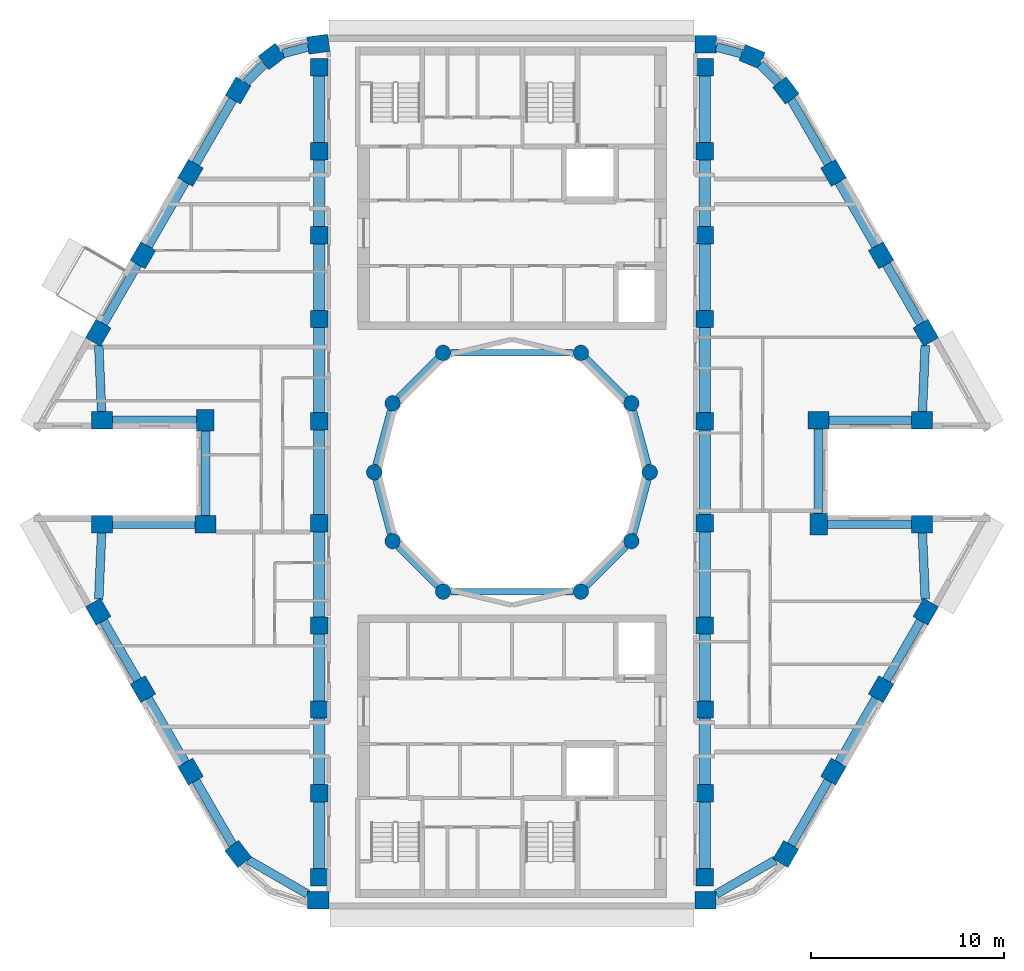
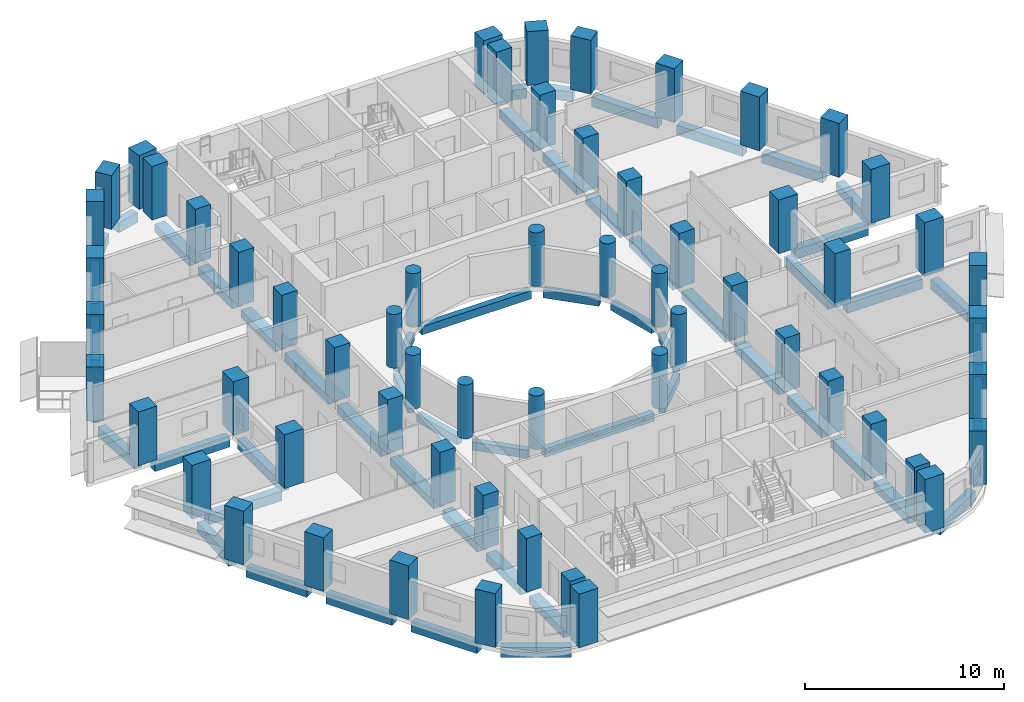
# One storey, part 1 of 13: 60 columns, 56 beams.
"""IFC4 building model written with IfcOpenShell, lengths in metres."""

from ifc_helpers import new_model, si_unit, direction, frame, origin, origin_2d, place, context, subcontext, project, spatial, rectangle, circle, extrude, material, material_profile, profile_set, type_object, element, save


model = new_model("IFC4")

# Units and contexts
model_context = context("Model", 3, precision=1e-05, world=origin(), true_north=direction((0.0, 1.0)))
body_context = subcontext(model_context, "Body", "Model", "MODEL_VIEW")
ifc_project = project(units=[si_unit("LENGTHUNIT", "METRE"), si_unit("AREAUNIT", "SQUARE_METRE"), si_unit("VOLUMEUNIT", "CUBIC_METRE"), si_unit("PLANEANGLEUNIT", "RADIAN"), si_unit("MASSUNIT", "GRAM", prefix="KILO")], contexts=[model_context])

# Site, building, storey
site_placement = place(None, origin())
site = spatial("IfcSite", under=ifc_project, at=site_placement, CompositionType="ELEMENT")
building_placement = place(site_placement, origin())
building = spatial("IfcBuilding", under=site, at=building_placement, Name="Nakaniwa Court", CompositionType="ELEMENT")
storey_placement = place(building_placement, frame((0.0, 0.0, 239.39990234375)))
storey = spatial("IfcBuildingStorey", under=building, at=storey_placement, Name="L62", CompositionType="ELEMENT", Elevation=239.39990234375)

# Columns
ifc_material = material(Name="Concrete C80/100", Category="concrete")
ifc_material_profile_1 = material_profile(ifc_material, rectangle(XDim=1.10009765625, YDim=0.89990234375, at=origin_2d()), Name="Concrete C80/100 RC 1100x900 perimeter column")
ifc_profile_set_1 = profile_set([ifc_material_profile_1], Name="Concrete C80/100")
column_type_1 = type_object("IfcColumnType", Name="Concrete C80/100 RC 1100x900 perimeter column", PredefinedType="COLUMN", material=ifc_profile_set_1)
for number, where, z_axis, x_axis, name in (
    (1, (69.95458984375, 102.199951171875, 0.0), (0.0, 0.0, 1.0), (-0.991442583111, -0.130543496177, 0.0), "COLUMN CO-01"),
    (2, (67.552001953125, 101.560302734375, 0.0), (0.0, 0.0, 1.0), (-0.793363965062, -0.608747582288, 0.0), "COLUMN CO-02"),
    (3, (65.796875, 99.799560546875, 0.0), (0.0, 0.0, 1.0), (-0.5, -0.866025403784, 0.0), "COLUMN CO-03"),
    (4, (63.328857421875, 95.524658203125, 0.0), (0.0, 0.0, 1.0), (-0.5, -0.866025403784, 0.0), "COLUMN CO-04"),
    (5, (60.860595703125, 91.249755859375, 0.0), (0.0, 0.0, 1.0), (-0.5, -0.866025403784, 0.0), "COLUMN CO-05"),
    (6, (58.541015625, 87.232177734375, 0.0), (0.0, 0.0, 1.0), (-0.5, -0.866025403784, 0.0), "COLUMN CO-06"),
    (7, (58.736083984375, 82.699951171875, 0.0), (0.0, 0.0, 1.0), (1.0, 0.0, 0.0), "COLUMN CO-08"),
    (8, (64.1005859375, 82.699951171875, 0.0), (0.0, 0.0, 1.0), (0.0, -1.0, 0.0), "COLUMN CO-09"),
    (9, (64.1005859375, 77.300048828125, 0.0), (0.0, 0.0, 1.0), (-1.0, 0.0, 0.0), "COLUMN CO-10"),
    (10, (58.736083984375, 77.300048828125, 0.0), (0.0, 0.0, 1.0), (-1.0, 0.0, 0.0), "COLUMN CO-11"),
    (11, (58.541015625, 72.767822265625, 0.0), (0.0, 0.0, 1.0), (0.5, -0.866025403784, 0.0), "COLUMN CO-13"),
    (12, (60.860595703125, 68.750244140625, 0.0), (0.0, 0.0, 1.0), (0.5, -0.866025403784, 0.0), "COLUMN CO-14"),
    (13, (63.328857421875, 64.475341796875, 0.0), (0.0, 0.0, 1.0), (0.5, -0.866025403784, 0.0), "COLUMN CO-15"),
    (14, (65.796875, 60.200439453125, 0.0), (0.0, 0.0, 1.0), (0.608761429009, -0.793353340291, 0.0), "COLUMN CO-16"),
    (15, (69.95458984375, 57.800048828125, 0.0), (0.0, 0.0, 1.0), (1.0, 0.0, 0.0), "COLUMN CO-17"),
    (16, (90.03955078125, 57.800048828125, 0.0), (0.0, 0.0, 1.0), (1.0, 0.0, 0.0), "COLUMN CO-21"),
    (17, (94.203125, 60.200439453125, 0.0), (0.0, 0.0, 1.0), (0.5, 0.866025403784, 0.0), "COLUMN CO-22"),
    (18, (96.671142578125, 64.475341796875, 0.0), (0.0, 0.0, 1.0), (0.5, 0.866025403784, 0.0), "COLUMN CO-23"),
    (19, (99.139404296875, 68.750244140625, 0.0), (0.0, 0.0, 1.0), (0.5, 0.866025403784, 0.0), "COLUMN CO-24"),
    (20, (101.458984375, 72.767822265625, 0.0), (0.0, 0.0, 1.0), (0.5, 0.866025403784, 0.0), "COLUMN CO-25"),
    (21, (101.263916015625, 77.300048828125, 0.0), (0.0, 0.0, 1.0), (-1.0, 0.0, 0.0), "COLUMN CO-27"),
    (22, (95.8994140625, 77.300048828125, 0.0), (0.0, 0.0, 1.0), (0.0, 1.0, 0.0), "COLUMN CO-28"),
    (23, (95.8994140625, 82.699951171875, 0.0), (0.0, 0.0, 1.0), (1.0, 0.0, 0.0), "COLUMN CO-29"),
    (24, (101.263916015625, 82.699951171875, 0.0), (0.0, 0.0, 1.0), (1.0, 0.0, 0.0), "COLUMN CO-30"),
    (25, (101.458984375, 87.232177734375, 0.0), (0.0, 0.0, 1.0), (-0.5, 0.866025403784, 0.0), "COLUMN CO-32"),
    (26, (99.139404296875, 91.249755859375, 0.0), (0.0, 0.0, 1.0), (-0.5, 0.866025403784, 0.0), "COLUMN CO-33"),
    (27, (96.671142578125, 95.524658203125, 0.0), (0.0, 0.0, 1.0), (-0.5, 0.866025403784, 0.0), "COLUMN CO-34"),
    (28, (94.203125, 99.799560546875, 0.0), (0.0, 0.0, 1.0), (-0.608761429009, 0.793353340291, 0.0), "COLUMN CO-35"),
    (29, (92.447998046875, 101.560302734375, 0.0), (0.0, 0.0, 1.0), (-0.923879532511, 0.382683432365, 0.0), "COLUMN CO-36"),
    (30, (90.04541015625, 102.199951171875, 0.0), (0.0, 0.0, 1.0), (-1.0, 0.0, 0.0), "COLUMN CO-37"),
):
    element("IfcColumn", number, at=place(storey_placement, frame(where, z_axis=z_axis, x_axis=x_axis)), inside=storey, type_object=column_type_1, Name=name, PredefinedType="COLUMN", context=body_context, shape_type="SweptSolid", body=[
        extrude(rectangle(XDim=1.10009765625, YDim=0.89990234375, at=origin_2d()), origin(), (0.0, 0.0, 1.0), 3.300048828125),
    ])
ifc_material_profile_2 = material_profile(ifc_material, rectangle(XDim=0.89990234375, YDim=0.89990234375, at=origin_2d()), Name="Concrete C80/100 RC 900x900 spine column")
ifc_profile_set_2 = profile_set([ifc_material_profile_2], Name="Concrete C80/100")
column_type_2 = type_object("IfcColumnType", Name="Concrete C80/100 RC 900x900 spine column", PredefinedType="COLUMN", material=ifc_profile_set_2)
for number, where, z_axis, x_axis, name in (
    (31, (90.0, 59.0, 0.0), (0.0, 0.0, 1.0), (0.0, 1.0, 0.0), "COLUMN CS-01"),
    (32, (90.0, 63.35009765625, 0.0), (0.0, 0.0, 1.0), (0.0, 1.0, 0.0), "COLUMN CS-02"),
    (33, (90.0, 67.699951171875, 0.0), (0.0, 0.0, 1.0), (0.0, 1.0, 0.0), "COLUMN CS-03"),
    (34, (90.0, 72.050048828125, 0.0), (0.0, 0.0, 1.0), (0.0, 1.0, 0.0), "COLUMN CS-04"),
    (35, (90.0, 77.35009765625, 0.0), (0.0, 0.0, 1.0), (0.0, 1.0, 0.0), "COLUMN CS-05"),
    (36, (90.0, 82.64990234375, 0.0), (0.0, 0.0, 1.0), (0.0, 1.0, 0.0), "COLUMN CS-06"),
    (37, (90.0, 87.949951171875, 0.0), (0.0, 0.0, 1.0), (0.0, 1.0, 0.0), "COLUMN CS-07"),
    (38, (90.0, 92.300048828125, 0.0), (0.0, 0.0, 1.0), (0.0, 1.0, 0.0), "COLUMN CS-08"),
    (39, (90.0, 96.64990234375, 0.0), (0.0, 0.0, 1.0), (0.0, 1.0, 0.0), "COLUMN CS-09"),
    (40, (90.0, 101.0, 0.0), (0.0, 0.0, 1.0), (0.0, 1.0, 0.0), "COLUMN CS-10"),
    (41, (70.0, 101.0, 0.0), (0.0, 0.0, 1.0), (0.0, -1.0, 0.0), "COLUMN CS-11"),
    (42, (70.0, 96.64990234375, 0.0), (0.0, 0.0, 1.0), (0.0, -1.0, 0.0), "COLUMN CS-12"),
    (43, (70.0, 92.300048828125, 0.0), (0.0, 0.0, 1.0), (0.0, -1.0, 0.0), "COLUMN CS-13"),
    (44, (70.0, 87.949951171875, 0.0), (0.0, 0.0, 1.0), (0.0, -1.0, 0.0), "COLUMN CS-14"),
    (45, (70.0, 82.64990234375, 0.0), (0.0, 0.0, 1.0), (0.0, -1.0, 0.0), "COLUMN CS-15"),
    (46, (70.0, 77.35009765625, 0.0), (0.0, 0.0, 1.0), (0.0, -1.0, 0.0), "COLUMN CS-16"),
    (47, (70.0, 72.050048828125, 0.0), (0.0, 0.0, 1.0), (0.0, -1.0, 0.0), "COLUMN CS-17"),
    (48, (70.0, 67.699951171875, 0.0), (0.0, 0.0, 1.0), (0.0, -1.0, 0.0), "COLUMN CS-18"),
    (49, (70.0, 63.35009765625, 0.0), (0.0, 0.0, 1.0), (0.0, -1.0, 0.0), "COLUMN CS-19"),
    (50, (70.0, 59.0, 0.0), (0.0, 0.0, 1.0), (0.0, -1.0, 0.0), "COLUMN CS-20"),
):
    element("IfcColumn", number, at=place(storey_placement, frame(where, z_axis=z_axis, x_axis=x_axis)), inside=storey, type_object=column_type_2, Name=name, PredefinedType="COLUMN", context=body_context, shape_type="SweptSolid", body=[
        extrude(rectangle(XDim=0.89990234375, YDim=0.89990234375, at=origin_2d()), origin(), (0.0, 0.0, 1.0), 3.300048828125),
    ])
ifc_material_profile_3 = material_profile(ifc_material, circle(Radius=0.39990234375, at=origin_2d()), Name="Concrete C80/100 RC D800 inner ring column")
ifc_profile_set_3 = profile_set([ifc_material_profile_3], Name="Concrete C80/100")
column_type_3 = type_object("IfcColumnType", Name="Concrete C80/100 RC D800 inner ring column", PredefinedType="COLUMN", material=ifc_profile_set_3)
for number, where, z_axis, x_axis, name in (
    (51, (87.14990234375, 80.0, 0.0), (0.0, 0.0, 1.0), (0.0, 1.0, 0.0), "COLUMN CI-01"),
    (52, (86.192138671875, 83.574951171875, 0.0), (0.0, 0.0, 1.0), (-0.5, 0.866025403784, 0.0), "COLUMN CI-02"),
    (53, (83.574951171875, 86.192138671875, 0.0), (0.0, 0.0, 1.0), (-0.866025403784, 0.5, 0.0), "COLUMN CI-03"),
    (54, (76.425048828125, 86.192138671875, 0.0), (0.0, 0.0, 1.0), (-0.866025403784, -0.5, 0.0), "COLUMN CI-05"),
    (55, (73.807861328125, 83.574951171875, 0.0), (0.0, 0.0, 1.0), (-0.5, -0.866025403784, 0.0), "COLUMN CI-06"),
    (56, (72.85009765625, 80.0, 0.0), (0.0, 0.0, 1.0), (0.0, -1.0, 0.0), "COLUMN CI-07"),
    (57, (73.807861328125, 76.425048828125, 0.0), (0.0, 0.0, 1.0), (0.5, -0.866025403784, 0.0), "COLUMN CI-08"),
    (58, (76.425048828125, 73.807861328125, 0.0), (0.0, 0.0, 1.0), (0.866025403784, -0.5, 0.0), "COLUMN CI-09"),
    (59, (83.574951171875, 73.807861328125, 0.0), (0.0, 0.0, 1.0), (0.866025403784, 0.5, 0.0), "COLUMN CI-11"),
    (60, (86.192138671875, 76.425048828125, 0.0), (0.0, 0.0, 1.0), (0.5, 0.866025403784, 0.0), "COLUMN CI-12"),
):
    element("IfcColumn", number, at=place(storey_placement, frame(where, z_axis=z_axis, x_axis=x_axis)), inside=storey, type_object=column_type_3, Name=name, PredefinedType="COLUMN", context=body_context, shape_type="SweptSolid", body=[
        extrude(circle(Radius=0.39990234375, at=origin_2d()), origin(), (0.0, 0.0, 1.0), 3.300048828125),
    ])

# Beams
ifc_material_profile_4 = material_profile(ifc_material, rectangle(XDim=0.35009765625, YDim=0.5, at=origin_2d()), Name="Concrete C80/100 RC 350x500 ring beam")
ifc_profile_set_4 = profile_set([ifc_material_profile_4], Name="Concrete C80/100")
beam_type_1 = type_object("IfcBeamType", Name="Concrete C80/100 RC 350x500 ring beam", PredefinedType="BEAM", material=ifc_profile_set_4)
beam_1_placement = place(storey_placement, frame((87.04638671875, 80.386474609375, -0.52490234375), z_axis=(-0.258778150207, 0.965936783115, 0.0), x_axis=(-0.965936783115, -0.258778150207, 0.0)))
element("IfcBeam", 61, at=beam_1_placement, inside=storey, type_object=beam_type_1, Name="RING BEAM", PredefinedType="BEAM", context=body_context, shape_type="SweptSolid", body=[
    extrude(rectangle(XDim=0.35009765625, YDim=0.5, at=origin_2d()), origin(), (0.0, 0.0, 1.0), 2.901123046875),
])
beam_2_placement = place(storey_placement, frame((85.9091796875, 83.85791015625, -0.52490234375), z_axis=(-0.707106781187, 0.707106781187, 0.0), x_axis=(-0.707106781187, -0.707106781187, 0.0)))
element("IfcBeam", 62, at=beam_2_placement, inside=storey, type_object=beam_type_1, Name="RING BEAM", PredefinedType="BEAM", context=body_context, shape_type="SweptSolid", body=[
    extrude(rectangle(XDim=0.35009765625, YDim=0.5, at=origin_2d()), origin(), (0.0, 0.0, 1.0), 2.90087890625),
])
beam_3_placement = place(storey_placement, frame((83.175048828125, 86.192138671875, -0.52490234375), z_axis=(-1.0, 0.0, 0.0), x_axis=(0.0, -1.0, 0.0)))
element("IfcBeam", 63, at=beam_3_placement, inside=storey, type_object=beam_type_1, Name="RING BEAM", PredefinedType="BEAM", context=body_context, shape_type="SweptSolid", body=[
    extrude(rectangle(XDim=0.35009765625, YDim=0.5, at=origin_2d()), origin(), (0.0, 0.0, 1.0), 6.35009765625),
])
beam_4_placement = place(storey_placement, frame((76.14208984375, 85.9091796875, -0.52490234375), z_axis=(-0.707106781187, -0.707106781187, 0.0), x_axis=(0.707106781187, -0.707106781187, 0.0)))
element("IfcBeam", 64, at=beam_4_placement, inside=storey, type_object=beam_type_1, Name="RING BEAM", PredefinedType="BEAM", context=body_context, shape_type="SweptSolid", body=[
    extrude(rectangle(XDim=0.35009765625, YDim=0.5, at=origin_2d()), origin(), (0.0, 0.0, 1.0), 2.90087890625),
])
for number, where, z_axis, x_axis, name in (
    (65, (73.704345703125, 83.188720703125, -0.52490234375), (-0.258778150207, -0.965936783115, 0.0), (0.965936783115, -0.258778150207, 0.0), "RING BEAM"),
    (66, (72.95361328125, 79.613525390625, -0.52490234375), (0.258778150207, -0.965936783115, 0.0), (0.965936783115, 0.258778150207, 0.0), "RING BEAM"),
):
    element("IfcBeam", number, at=place(storey_placement, frame(where, z_axis=z_axis, x_axis=x_axis)), inside=storey, type_object=beam_type_1, Name=name, PredefinedType="BEAM", context=body_context, shape_type="SweptSolid", body=[
        extrude(rectangle(XDim=0.35009765625, YDim=0.5, at=origin_2d()), origin(), (0.0, 0.0, 1.0), 2.901123046875),
    ])
beam_5_placement = place(storey_placement, frame((74.0908203125, 76.14208984375, -0.52490234375), z_axis=(0.707106781187, -0.707106781187, 0.0), x_axis=(0.707106781187, 0.707106781187, 0.0)))
element("IfcBeam", 67, at=beam_5_placement, inside=storey, type_object=beam_type_1, Name="RING BEAM", PredefinedType="BEAM", context=body_context, shape_type="SweptSolid", body=[
    extrude(rectangle(XDim=0.35009765625, YDim=0.5, at=origin_2d()), origin(), (0.0, 0.0, 1.0), 2.90087890625),
])
beam_6_placement = place(storey_placement, frame((76.824951171875, 73.807861328125, -0.52490234375), z_axis=(1.0, 0.0, 0.0), x_axis=(0.0, 1.0, 0.0)))
element("IfcBeam", 68, at=beam_6_placement, inside=storey, type_object=beam_type_1, Name="RING BEAM", PredefinedType="BEAM", context=body_context, shape_type="SweptSolid", body=[
    extrude(rectangle(XDim=0.35009765625, YDim=0.5, at=origin_2d()), origin(), (0.0, 0.0, 1.0), 6.35009765625),
])
beam_7_placement = place(storey_placement, frame((83.85791015625, 74.0908203125, -0.52490234375), z_axis=(0.707106781187, 0.707106781187, 0.0), x_axis=(-0.707106781187, 0.707106781187, 0.0)))
element("IfcBeam", 69, at=beam_7_placement, inside=storey, type_object=beam_type_1, Name="RING BEAM", PredefinedType="BEAM", context=body_context, shape_type="SweptSolid", body=[
    extrude(rectangle(XDim=0.35009765625, YDim=0.5, at=origin_2d()), origin(), (0.0, 0.0, 1.0), 2.90087890625),
])
beam_8_placement = place(storey_placement, frame((86.295654296875, 76.811279296875, -0.52490234375), z_axis=(0.258778150207, 0.965936783115, 0.0), x_axis=(-0.965936783115, 0.258778150207, 0.0)))
element("IfcBeam", 70, at=beam_8_placement, inside=storey, type_object=beam_type_1, Name="RING BEAM", PredefinedType="BEAM", context=body_context, shape_type="SweptSolid", body=[
    extrude(rectangle(XDim=0.35009765625, YDim=0.5, at=origin_2d()), origin(), (0.0, 0.0, 1.0), 2.901123046875),
])
ifc_material_profile_5 = material_profile(ifc_material, rectangle(XDim=0.449951171875, YDim=0.60009765625, at=origin_2d()), Name="Concrete C80/100 RC 450x600 spandrel beam")
ifc_profile_set_5 = profile_set([ifc_material_profile_5], Name="Concrete C80/100")
beam_type_2 = type_object("IfcBeamType", Name="Concrete C80/100 RC 450x600 spandrel beam", PredefinedType="BEAM", material=ifc_profile_set_5)
beam_9_placement = place(storey_placement, frame((69.418701171875, 102.057373046875, -0.574951171875), z_axis=(-0.966286479475, -0.257469298332, 0.0), x_axis=(0.257469298332, -0.966286479475, 0.0)))
element("IfcBeam", 71, at=beam_9_placement, inside=storey, type_object=beam_type_2, Name="SPANDREL BEAM", PredefinedType="BEAM", context=body_context, shape_type="SweptSolid", body=[
    extrude(rectangle(XDim=0.449951171875, YDim=0.60009765625, at=origin_2d()), origin(), (0.0, 0.0, 1.0), 1.3359375),
])
beam_10_placement = place(storey_placement, frame((67.160400390625, 101.167236328125, -0.574951171875), z_axis=(-0.706030517025, -0.708181409689, 0.0), x_axis=(0.708181409689, -0.706030517025, 0.0)))
element("IfcBeam", 72, at=beam_10_placement, inside=storey, type_object=beam_type_2, Name="SPANDREL BEAM", PredefinedType="BEAM", context=body_context, shape_type="SweptSolid", body=[
    extrude(rectangle(XDim=0.449951171875, YDim=0.60009765625, at=origin_2d()), origin(), (0.0, 0.0, 1.0), 1.362060546875),
])
for number, where, z_axis, x_axis, name in (
    (73, (65.52197265625, 99.3232421875, -0.574951171875), (-0.50001992892, -0.866013897511, 0.0), (0.866013897511, -0.50001992892, 0.0), "SPANDREL BEAM"),
    (74, (63.0537109375, 95.04833984375, -0.574951171875), (-0.499972197867, -0.866041454758, 0.0), (0.866041454758, -0.499972197867, 0.0), "SPANDREL BEAM"),
):
    element("IfcBeam", number, at=place(storey_placement, frame(where, z_axis=z_axis, x_axis=x_axis)), inside=storey, type_object=beam_type_2, Name=name, PredefinedType="BEAM", context=body_context, shape_type="SweptSolid", body=[
        extrude(rectangle(XDim=0.449951171875, YDim=0.60009765625, at=origin_2d()), origin(), (0.0, 0.0, 1.0), 3.836181640625),
    ])
beam_11_placement = place(storey_placement, frame((60.585693359375, 90.7734375, -0.574951171875), z_axis=(-0.499997139945, -0.866027055032, 0.0), x_axis=(0.866027055032, -0.499997139945, 0.0)))
element("IfcBeam", 75, at=beam_11_placement, inside=storey, type_object=beam_type_2, Name="SPANDREL BEAM", PredefinedType="BEAM", context=body_context, shape_type="SweptSolid", body=[
    extrude(rectangle(XDim=0.449951171875, YDim=0.60009765625, at=origin_2d()), origin(), (0.0, 0.0, 1.0), 3.5390625),
])
beam_12_placement = place(storey_placement, frame((58.569091796875, 86.580810546875, -0.574951171875), z_axis=(0.042940503042, -0.999077631217, 0.0), x_axis=(0.999077631217, 0.042940503042, 0.0)))
element("IfcBeam", 76, at=beam_12_placement, inside=storey, type_object=beam_type_2, Name="SPANDREL BEAM", PredefinedType="BEAM", context=body_context, shape_type="SweptSolid", body=[
    extrude(rectangle(XDim=0.449951171875, YDim=0.60009765625, at=origin_2d()), origin(), (0.0, 0.0, 1.0), 3.43408203125),
])
beam_13_placement = place(storey_placement, frame((59.285888671875, 82.699951171875, -0.574951171875), z_axis=(1.0, 0.0, 0.0), x_axis=(0.0, 1.0, 0.0)))
element("IfcBeam", 77, at=beam_13_placement, inside=storey, type_object=beam_type_2, Name="SPANDREL BEAM", PredefinedType="BEAM", context=body_context, shape_type="SweptSolid", body=[
    extrude(rectangle(XDim=0.449951171875, YDim=0.60009765625, at=origin_2d()), origin(), (0.0, 0.0, 1.0), 4.364501953125),
])
beam_14_placement = place(storey_placement, frame((64.1005859375, 82.14990234375, -0.574951171875), z_axis=(0.0, -1.0, 0.0), x_axis=(1.0, 0.0, 0.0)))
element("IfcBeam", 78, at=beam_14_placement, inside=storey, type_object=beam_type_2, Name="SPANDREL BEAM", PredefinedType="BEAM", context=body_context, shape_type="SweptSolid", body=[
    extrude(rectangle(XDim=0.449951171875, YDim=0.60009765625, at=origin_2d()), origin(), (0.0, 0.0, 1.0), 4.39990234375),
])
beam_15_placement = place(storey_placement, frame((63.550537109375, 77.300048828125, -0.574951171875), z_axis=(-1.0, 0.0, 0.0), x_axis=(0.0, -1.0, 0.0)))
element("IfcBeam", 79, at=beam_15_placement, inside=storey, type_object=beam_type_2, Name="SPANDREL BEAM", PredefinedType="BEAM", context=body_context, shape_type="SweptSolid", body=[
    extrude(rectangle(XDim=0.449951171875, YDim=0.60009765625, at=origin_2d()), origin(), (0.0, 0.0, 1.0), 4.2646484375),
])
beam_16_placement = place(storey_placement, frame((58.716552734375, 76.85009765625, -0.574951171875), z_axis=(-0.042940503042, -0.999077631217, 0.0), x_axis=(0.999077631217, -0.042940503042, 0.0)))
element("IfcBeam", 80, at=beam_16_placement, inside=storey, type_object=beam_type_2, Name="SPANDREL BEAM", PredefinedType="BEAM", context=body_context, shape_type="SweptSolid", body=[
    extrude(rectangle(XDim=0.449951171875, YDim=0.60009765625, at=origin_2d()), origin(), (0.0, 0.0, 1.0), 3.43408203125),
])
beam_17_placement = place(storey_placement, frame((58.816162109375, 72.29150390625, -0.574951171875), z_axis=(0.499997139945, -0.866027055032, 0.0), x_axis=(0.866027055032, 0.499997139945, 0.0)))
element("IfcBeam", 81, at=beam_17_placement, inside=storey, type_object=beam_type_2, Name="SPANDREL BEAM", PredefinedType="BEAM", context=body_context, shape_type="SweptSolid", body=[
    extrude(rectangle(XDim=0.449951171875, YDim=0.60009765625, at=origin_2d()), origin(), (0.0, 0.0, 1.0), 3.5390625),
])
beam_18_placement = place(storey_placement, frame((61.1357421875, 68.27392578125, -0.574951171875), z_axis=(0.499972197867, -0.866041454758, 0.0), x_axis=(0.866041454758, 0.499972197867, 0.0)))
element("IfcBeam", 82, at=beam_18_placement, inside=storey, type_object=beam_type_2, Name="SPANDREL BEAM", PredefinedType="BEAM", context=body_context, shape_type="SweptSolid", body=[
    extrude(rectangle(XDim=0.449951171875, YDim=0.60009765625, at=origin_2d()), origin(), (0.0, 0.0, 1.0), 3.836181640625),
])
beam_19_placement = place(storey_placement, frame((63.603759765625, 63.9990234375, -0.574951171875), z_axis=(0.500011110731, -0.866018988906, 0.0), x_axis=(0.866018988906, 0.500011110731, 0.0)))
element("IfcBeam", 83, at=beam_19_placement, inside=storey, type_object=beam_type_2, Name="SPANDREL BEAM", PredefinedType="BEAM", context=body_context, shape_type="SweptSolid", body=[
    extrude(rectangle(XDim=0.449951171875, YDim=0.60009765625, at=origin_2d()), origin(), (0.0, 0.0, 1.0), 3.83154296875),
])
beam_20_placement = place(storey_placement, frame((66.3125, 59.90283203125, -0.574951171875), z_axis=(0.866017069707, -0.500014434768, 0.0), x_axis=(0.500014434768, 0.866017069707, 0.0)))
element("IfcBeam", 84, at=beam_20_placement, inside=storey, type_object=beam_type_2, Name="SPANDREL BEAM", PredefinedType="BEAM", context=body_context, shape_type="SweptSolid", body=[
    extrude(rectangle(XDim=0.449951171875, YDim=0.60009765625, at=origin_2d()), origin(), (0.0, 0.0, 1.0), 3.57080078125),
])
beam_21_placement = place(storey_placement, frame((90.589599609375, 58.1171875, -0.574951171875), z_axis=(0.866307414098, 0.499511225378, 0.0), x_axis=(-0.499511225378, 0.866307414098, 0.0)))
element("IfcBeam", 85, at=beam_21_placement, inside=storey, type_object=beam_type_2, Name="SPANDREL BEAM", PredefinedType="BEAM", context=body_context, shape_type="SweptSolid", body=[
    extrude(rectangle(XDim=0.449951171875, YDim=0.60009765625, at=origin_2d()), origin(), (0.0, 0.0, 1.0), 3.53564453125),
])
for number, where, z_axis, x_axis, name in (
    (86, (94.47802734375, 60.6767578125, -0.574951171875), (0.50001992892, 0.866013897511, 0.0), (-0.866013897511, 0.50001992892, 0.0), "SPANDREL BEAM"),
    (87, (96.9462890625, 64.95166015625, -0.574951171875), (0.499972197867, 0.866041454758, 0.0), (-0.866041454758, 0.499972197867, 0.0), "SPANDREL BEAM"),
):
    element("IfcBeam", number, at=place(storey_placement, frame(where, z_axis=z_axis, x_axis=x_axis)), inside=storey, type_object=beam_type_2, Name=name, PredefinedType="BEAM", context=body_context, shape_type="SweptSolid", body=[
        extrude(rectangle(XDim=0.449951171875, YDim=0.60009765625, at=origin_2d()), origin(), (0.0, 0.0, 1.0), 3.836181640625),
    ])
beam_22_placement = place(storey_placement, frame((99.414306640625, 69.2265625, -0.574951171875), z_axis=(0.499997139945, 0.866027055032, 0.0), x_axis=(-0.866027055032, 0.499997139945, 0.0)))
element("IfcBeam", 88, at=beam_22_placement, inside=storey, type_object=beam_type_2, Name="SPANDREL BEAM", PredefinedType="BEAM", context=body_context, shape_type="SweptSolid", body=[
    extrude(rectangle(XDim=0.449951171875, YDim=0.60009765625, at=origin_2d()), origin(), (0.0, 0.0, 1.0), 3.5390625),
])
beam_23_placement = place(storey_placement, frame((101.430908203125, 73.419189453125, -0.574951171875), z_axis=(-0.042940503042, 0.999077631217, 0.0), x_axis=(-0.999077631217, -0.042940503042, 0.0)))
element("IfcBeam", 89, at=beam_23_placement, inside=storey, type_object=beam_type_2, Name="SPANDREL BEAM", PredefinedType="BEAM", context=body_context, shape_type="SweptSolid", body=[
    extrude(rectangle(XDim=0.449951171875, YDim=0.60009765625, at=origin_2d()), origin(), (0.0, 0.0, 1.0), 3.43408203125),
])
beam_24_placement = place(storey_placement, frame((100.714111328125, 77.300048828125, -0.574951171875), z_axis=(-1.0, 0.0, 0.0), x_axis=(0.0, -1.0, 0.0)))
element("IfcBeam", 90, at=beam_24_placement, inside=storey, type_object=beam_type_2, Name="SPANDREL BEAM", PredefinedType="BEAM", context=body_context, shape_type="SweptSolid", body=[
    extrude(rectangle(XDim=0.449951171875, YDim=0.60009765625, at=origin_2d()), origin(), (0.0, 0.0, 1.0), 4.364501953125),
])
beam_25_placement = place(storey_placement, frame((95.8994140625, 77.85009765625, -0.574951171875), z_axis=(0.0, 1.0, 0.0), x_axis=(-1.0, 0.0, 0.0)))
element("IfcBeam", 91, at=beam_25_placement, inside=storey, type_object=beam_type_2, Name="SPANDREL BEAM", PredefinedType="BEAM", context=body_context, shape_type="SweptSolid", body=[
    extrude(rectangle(XDim=0.449951171875, YDim=0.60009765625, at=origin_2d()), origin(), (0.0, 0.0, 1.0), 4.39990234375),
])
beam_26_placement = place(storey_placement, frame((96.449462890625, 82.699951171875, -0.574951171875), z_axis=(1.0, 0.0, 0.0), x_axis=(0.0, 1.0, 0.0)))
element("IfcBeam", 92, at=beam_26_placement, inside=storey, type_object=beam_type_2, Name="SPANDREL BEAM", PredefinedType="BEAM", context=body_context, shape_type="SweptSolid", body=[
    extrude(rectangle(XDim=0.449951171875, YDim=0.60009765625, at=origin_2d()), origin(), (0.0, 0.0, 1.0), 4.2646484375),
])
beam_27_placement = place(storey_placement, frame((101.283447265625, 83.14990234375, -0.574951171875), z_axis=(0.042940503042, 0.999077631217, 0.0), x_axis=(-0.999077631217, 0.042940503042, 0.0)))
element("IfcBeam", 93, at=beam_27_placement, inside=storey, type_object=beam_type_2, Name="SPANDREL BEAM", PredefinedType="BEAM", context=body_context, shape_type="SweptSolid", body=[
    extrude(rectangle(XDim=0.449951171875, YDim=0.60009765625, at=origin_2d()), origin(), (0.0, 0.0, 1.0), 3.43408203125),
])
beam_28_placement = place(storey_placement, frame((101.183837890625, 87.70849609375, -0.574951171875), z_axis=(-0.499997139945, 0.866027055032, 0.0), x_axis=(-0.866027055032, -0.499997139945, 0.0)))
element("IfcBeam", 94, at=beam_28_placement, inside=storey, type_object=beam_type_2, Name="SPANDREL BEAM", PredefinedType="BEAM", context=body_context, shape_type="SweptSolid", body=[
    extrude(rectangle(XDim=0.449951171875, YDim=0.60009765625, at=origin_2d()), origin(), (0.0, 0.0, 1.0), 3.5390625),
])
beam_29_placement = place(storey_placement, frame((98.8642578125, 91.72607421875, -0.574951171875), z_axis=(-0.499972197867, 0.866041454758, 0.0), x_axis=(-0.866041454758, -0.499972197867, 0.0)))
element("IfcBeam", 95, at=beam_29_placement, inside=storey, type_object=beam_type_2, Name="SPANDREL BEAM", PredefinedType="BEAM", context=body_context, shape_type="SweptSolid", body=[
    extrude(rectangle(XDim=0.449951171875, YDim=0.60009765625, at=origin_2d()), origin(), (0.0, 0.0, 1.0), 3.836181640625),
])
beam_30_placement = place(storey_placement, frame((96.396240234375, 96.0009765625, -0.574951171875), z_axis=(-0.500011110731, 0.866018988906, 0.0), x_axis=(-0.866018988906, -0.500011110731, 0.0)))
element("IfcBeam", 96, at=beam_30_placement, inside=storey, type_object=beam_type_2, Name="SPANDREL BEAM", PredefinedType="BEAM", context=body_context, shape_type="SweptSolid", body=[
    extrude(rectangle(XDim=0.449951171875, YDim=0.60009765625, at=origin_2d()), origin(), (0.0, 0.0, 1.0), 3.83154296875),
])
beam_31_placement = place(storey_placement, frame((93.8115234375, 100.1923828125, -0.574951171875), z_axis=(-0.706100745773, 0.708111387296, 0.0), x_axis=(-0.708111387296, -0.706100745773, 0.0)))
element("IfcBeam", 97, at=beam_31_placement, inside=storey, type_object=beam_type_2, Name="SPANDREL BEAM", PredefinedType="BEAM", context=body_context, shape_type="SweptSolid", body=[
    extrude(rectangle(XDim=0.449951171875, YDim=0.60009765625, at=origin_2d()), origin(), (0.0, 0.0, 1.0), 1.335693359375),
])
beam_32_placement = place(storey_placement, frame((91.91162109375, 101.702880859375, -0.574951171875), z_axis=(-0.966318174979, 0.257350315146, 0.0), x_axis=(-0.257350315146, -0.966318174979, 0.0)))
element("IfcBeam", 98, at=beam_32_placement, inside=storey, type_object=beam_type_2, Name="SPANDREL BEAM", PredefinedType="BEAM", context=body_context, shape_type="SweptSolid", body=[
    extrude(rectangle(XDim=0.449951171875, YDim=0.60009765625, at=origin_2d()), origin(), (0.0, 0.0, 1.0), 1.3623046875),
])
ifc_material_profile_6 = material_profile(ifc_material, rectangle(XDim=0.60009765625, YDim=0.5, at=origin_2d()), Name="Concrete C80/100 RC 600x500 ring beam")
ifc_profile_set_6 = profile_set([ifc_material_profile_6], Name="Concrete C80/100")
beam_type_3 = type_object("IfcBeamType", Name="Concrete C80/100 RC 600x500 ring beam", PredefinedType="BEAM", material=ifc_profile_set_6)
for number, where, z_axis, x_axis, name in (
    (99, (90.0, 59.449951171875, -0.52490234375), (0.0, 1.0, 0.0), (-1.0, 0.0, 0.0), "RING BEAM"),
    (100, (90.0, 63.800048828125, -0.52490234375), (0.0, 1.0, 0.0), (-1.0, 0.0, 0.0), "RING BEAM"),
):
    element("IfcBeam", number, at=place(storey_placement, frame(where, z_axis=z_axis, x_axis=x_axis)), inside=storey, type_object=beam_type_3, Name=name, PredefinedType="BEAM", context=body_context, shape_type="SweptSolid", body=[
        extrude(rectangle(XDim=0.60009765625, YDim=0.5, at=origin_2d()), origin(), (0.0, 0.0, 1.0), 3.449951171875),
    ])
beam_33_placement = place(storey_placement, frame((90.0, 68.14990234375, -0.52490234375), z_axis=(0.0, 1.0, 0.0), x_axis=(-1.0, 0.0, 0.0)))
element("IfcBeam", 101, at=beam_33_placement, inside=storey, type_object=beam_type_3, Name="RING BEAM", PredefinedType="BEAM", context=body_context, shape_type="SweptSolid", body=[
    extrude(rectangle(XDim=0.60009765625, YDim=0.5, at=origin_2d()), origin(), (0.0, 0.0, 1.0), 3.4501953125),
])
for number, where, z_axis, x_axis, name in (
    (102, (90.0, 72.5, -0.52490234375), (0.0, 1.0, 0.0), (-1.0, 0.0, 0.0), "RING BEAM"),
    (103, (90.0, 77.800048828125, -0.52490234375), (0.0, 1.0, 0.0), (-1.0, 0.0, 0.0), "RING BEAM"),
    (104, (90.0, 83.10009765625, -0.52490234375), (0.0, 1.0, 0.0), (-1.0, 0.0, 0.0), "RING BEAM"),
):
    element("IfcBeam", number, at=place(storey_placement, frame(where, z_axis=z_axis, x_axis=x_axis)), inside=storey, type_object=beam_type_3, Name=name, PredefinedType="BEAM", context=body_context, shape_type="SweptSolid", body=[
        extrude(rectangle(XDim=0.60009765625, YDim=0.5, at=origin_2d()), origin(), (0.0, 0.0, 1.0), 4.39990234375),
    ])
beam_34_placement = place(storey_placement, frame((90.0, 88.39990234375, -0.52490234375), z_axis=(0.0, 1.0, 0.0), x_axis=(-1.0, 0.0, 0.0)))
element("IfcBeam", 105, at=beam_34_placement, inside=storey, type_object=beam_type_3, Name="RING BEAM", PredefinedType="BEAM", context=body_context, shape_type="SweptSolid", body=[
    extrude(rectangle(XDim=0.60009765625, YDim=0.5, at=origin_2d()), origin(), (0.0, 0.0, 1.0), 3.4501953125),
])
for number, where, z_axis, x_axis, name in (
    (106, (90.0, 92.75, -0.52490234375), (0.0, 1.0, 0.0), (-1.0, 0.0, 0.0), "RING BEAM"),
    (107, (90.0, 97.10009765625, -0.52490234375), (0.0, 1.0, 0.0), (-1.0, 0.0, 0.0), "RING BEAM"),
    (108, (70.0, 100.550048828125, -0.52490234375), (0.0, -1.0, 0.0), (1.0, 0.0, 0.0), "RING BEAM"),
    (109, (70.0, 96.199951171875, -0.52490234375), (0.0, -1.0, 0.0), (1.0, 0.0, 0.0), "RING BEAM"),
):
    element("IfcBeam", number, at=place(storey_placement, frame(where, z_axis=z_axis, x_axis=x_axis)), inside=storey, type_object=beam_type_3, Name=name, PredefinedType="BEAM", context=body_context, shape_type="SweptSolid", body=[
        extrude(rectangle(XDim=0.60009765625, YDim=0.5, at=origin_2d()), origin(), (0.0, 0.0, 1.0), 3.449951171875),
    ])
beam_35_placement = place(storey_placement, frame((70.0, 91.85009765625, -0.52490234375), z_axis=(0.0, -1.0, 0.0), x_axis=(1.0, 0.0, 0.0)))
element("IfcBeam", 110, at=beam_35_placement, inside=storey, type_object=beam_type_3, Name="RING BEAM", PredefinedType="BEAM", context=body_context, shape_type="SweptSolid", body=[
    extrude(rectangle(XDim=0.60009765625, YDim=0.5, at=origin_2d()), origin(), (0.0, 0.0, 1.0), 3.4501953125),
])
for number, where, z_axis, x_axis, name in (
    (111, (70.0, 87.5, -0.52490234375), (0.0, -1.0, 0.0), (1.0, 0.0, 0.0), "RING BEAM"),
    (112, (70.0, 82.199951171875, -0.52490234375), (0.0, -1.0, 0.0), (1.0, 0.0, 0.0), "RING BEAM"),
    (113, (70.0, 76.89990234375, -0.52490234375), (0.0, -1.0, 0.0), (1.0, 0.0, 0.0), "RING BEAM"),
):
    element("IfcBeam", number, at=place(storey_placement, frame(where, z_axis=z_axis, x_axis=x_axis)), inside=storey, type_object=beam_type_3, Name=name, PredefinedType="BEAM", context=body_context, shape_type="SweptSolid", body=[
        extrude(rectangle(XDim=0.60009765625, YDim=0.5, at=origin_2d()), origin(), (0.0, 0.0, 1.0), 4.39990234375),
    ])
beam_36_placement = place(storey_placement, frame((70.0, 71.60009765625, -0.52490234375), z_axis=(0.0, -1.0, 0.0), x_axis=(1.0, 0.0, 0.0)))
element("IfcBeam", 114, at=beam_36_placement, inside=storey, type_object=beam_type_3, Name="RING BEAM", PredefinedType="BEAM", context=body_context, shape_type="SweptSolid", body=[
    extrude(rectangle(XDim=0.60009765625, YDim=0.5, at=origin_2d()), origin(), (0.0, 0.0, 1.0), 3.4501953125),
])
for number, where, z_axis, x_axis, name in (
    (115, (70.0, 67.25, -0.52490234375), (0.0, -1.0, 0.0), (1.0, 0.0, 0.0), "RING BEAM"),
    (116, (70.0, 62.89990234375, -0.52490234375), (0.0, -1.0, 0.0), (1.0, 0.0, 0.0), "RING BEAM"),
):
    element("IfcBeam", number, at=place(storey_placement, frame(where, z_axis=z_axis, x_axis=x_axis)), inside=storey, type_object=beam_type_3, Name=name, PredefinedType="BEAM", context=body_context, shape_type="SweptSolid", body=[
        extrude(rectangle(XDim=0.60009765625, YDim=0.5, at=origin_2d()), origin(), (0.0, 0.0, 1.0), 3.449951171875),
    ])

save(model, "model.ifc")
